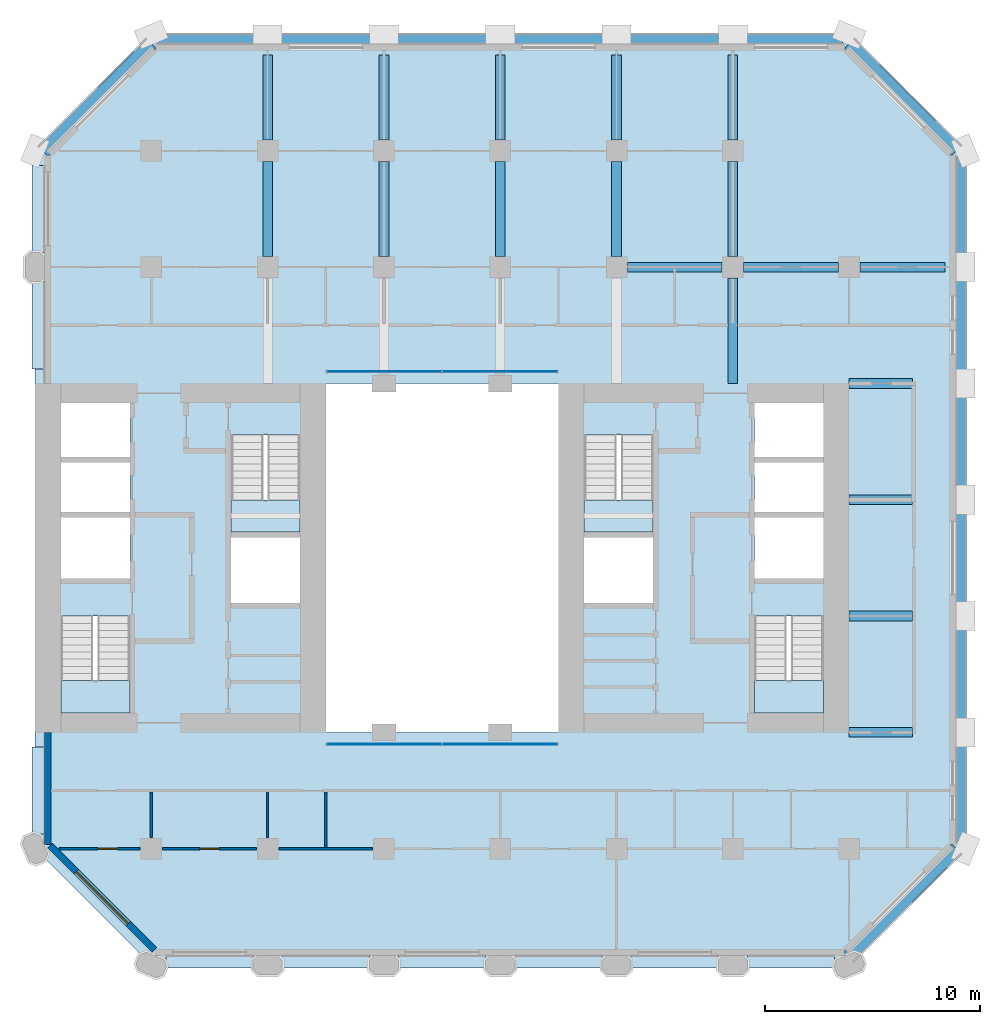
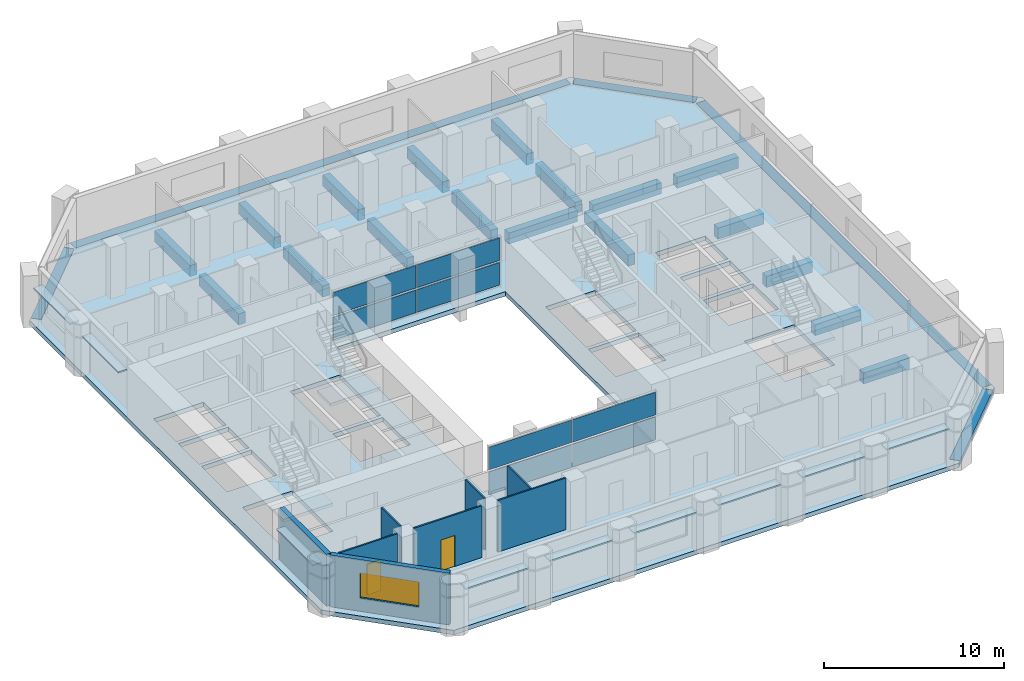
# One storey, part 3 of 11: 23 beams, 17 plates, 8 walls, 5 slabs, 2 doors, 1 window, 3 openings, 6 elements without a shape of their own.
"""IFC4 building model written with IfcOpenShell, lengths in metres."""

from ifc_helpers import new_model, si_unit, direction, frame, frame_2d, origin, origin_2d, place, context, subcontext, project, spatial, polyline, rectangle, outline, extrude, material, layer, layer_set, material_profile, profile_set, type_object, element, fill, aggregate, save


model = new_model("IFC4")

# Units and contexts
model_context = context("Model", 3, precision=1e-05, world=origin(), true_north=direction((0.0, 1.0)))
body_context = subcontext(model_context, "Body", "Model", "MODEL_VIEW")
ifc_project = project(units=[si_unit("LENGTHUNIT", "METRE"), si_unit("AREAUNIT", "SQUARE_METRE"), si_unit("VOLUMEUNIT", "CUBIC_METRE"), si_unit("PLANEANGLEUNIT", "RADIAN"), si_unit("MASSUNIT", "GRAM", prefix="KILO")], contexts=[model_context])

# Site, building, storey
site_placement = place(None, origin())
site = spatial("IfcSite", under=ifc_project, at=site_placement, CompositionType="ELEMENT")
building_placement = place(site_placement, origin())
building = spatial("IfcBuilding", under=site, at=building_placement, Name="Tabaq Tower and Sports Hall", CompositionType="ELEMENT")
storey_placement = place(building_placement, frame((0.0, 0.0, 80.199951171875)))
storey = spatial("IfcBuildingStorey", under=building, at=storey_placement, Name="L18", CompositionType="ELEMENT", Elevation=80.199951171875)

# Beams
ifc_material_1 = material(Name="Concrete C40/50", Category="concrete")
ifc_material_profile_1 = material_profile(ifc_material_1, rectangle(XDim=0.449951171875, YDim=0.75, at=origin_2d()), Name="CB 450x750")
ifc_profile_set_1 = profile_set([ifc_material_profile_1], Name="Concrete C40/50")
beam_type_1 = type_object("IfcBeamType", Name="PT CANTILEVER BEAM CB 450x750 C40/50", PredefinedType="BEAM", material=ifc_profile_set_1)
for number, where, z_axis, x_axis, name in (
    (1, (46.14990234375, 16.199951171875, -0.675048828125), (-1.0, 0.0, 0.0), (0.0, -1.0, 0.0), "Cantilever Beam L18 E3 span 1"),
    (2, (46.14990234375, 21.60009765625, -0.675048828125), (-1.0, 0.0, 0.0), (0.0, -1.0, 0.0), "Cantilever Beam L18 E4 span 1"),
    (3, (46.14990234375, 27.0, -0.675048828125), (-1.0, 0.0, 0.0), (0.0, -1.0, 0.0), "Cantilever Beam L18 E5 span 1"),
    (4, (46.14990234375, 32.39990234375, -0.675048828125), (-1.0, 0.0, 0.0), (0.0, -1.0, 0.0), "Cantilever Beam L18 E6 span 1"),
):
    element("IfcBeam", number, at=place(storey_placement, frame(where, z_axis=z_axis, x_axis=x_axis)), inside=storey, type_object=beam_type_1, Name=name, PredefinedType="BEAM", context=body_context, shape_type="SweptSolid", body=[
        extrude(rectangle(XDim=0.449951171875, YDim=0.75, at=origin_2d()), origin(), (0.0, 0.0, 1.0), 2.949951171875),
    ])
beam_1_placement = place(storey_placement, frame((47.64990234375, 37.800048828125, -0.675048828125), z_axis=(-1.0, 0.0, 0.0), x_axis=(0.0, -1.0, 0.0)))
element("IfcBeam", 5, at=beam_1_placement, inside=storey, type_object=beam_type_1, Name="Cantilever Beam L18 E7 span 1", PredefinedType="BEAM", context=body_context, shape_type="SweptSolid", body=[
    extrude(rectangle(XDim=0.449951171875, YDim=0.75, at=origin_2d()), origin(), (0.0, 0.0, 1.0), 3.949951171875),
])
beam_2_placement = place(storey_placement, frame((42.699951171875, 37.800048828125, -0.675048828125), z_axis=(-1.0, 0.0, 0.0), x_axis=(0.0, -1.0, 0.0)))
element("IfcBeam", 6, at=beam_2_placement, inside=storey, type_object=beam_type_1, Name="Cantilever Beam L18 E7 span 2", PredefinedType="BEAM", context=body_context, shape_type="SweptSolid", body=[
    extrude(rectangle(XDim=0.449951171875, YDim=0.75, at=origin_2d()), origin(), (0.0, 0.0, 1.0), 4.39990234375),
])
beam_3_placement = place(storey_placement, frame((37.300048828125, 37.800048828125, -0.675048828125), z_axis=(-1.0, 0.0, 0.0), x_axis=(0.0, -1.0, 0.0)))
element("IfcBeam", 7, at=beam_3_placement, inside=storey, type_object=beam_type_1, Name="Cantilever Beam L18 E7 span 3", PredefinedType="BEAM", context=body_context, shape_type="SweptSolid", body=[
    extrude(rectangle(XDim=0.449951171875, YDim=0.75, at=origin_2d()), origin(), (0.0, 0.0, 1.0), 4.400146484375),
])
beam_4_placement = place(storey_placement, frame((16.199951171875, 47.64990234375, -0.675048828125), z_axis=(0.0, -1.0, 0.0), x_axis=(1.0, 0.0, 0.0)))
element("IfcBeam", 8, at=beam_4_placement, inside=storey, type_object=beam_type_1, Name="Cantilever Beam L18 N3 span 1", PredefinedType="BEAM", context=body_context, shape_type="SweptSolid", body=[
    extrude(rectangle(XDim=0.449951171875, YDim=0.75, at=origin_2d()), origin(), (0.0, 0.0, 1.0), 3.949951171875),
])
beam_5_placement = place(storey_placement, frame((16.199951171875, 42.699951171875, -0.675048828125), z_axis=(0.0, -1.0, 0.0), x_axis=(1.0, 0.0, 0.0)))
element("IfcBeam", 9, at=beam_5_placement, inside=storey, type_object=beam_type_1, Name="Cantilever Beam L18 N3 span 2", PredefinedType="BEAM", context=body_context, shape_type="SweptSolid", body=[
    extrude(rectangle(XDim=0.449951171875, YDim=0.75, at=origin_2d()), origin(), (0.0, 0.0, 1.0), 4.39990234375),
])
beam_6_placement = place(storey_placement, frame((21.60009765625, 47.64990234375, -0.675048828125), z_axis=(0.0, -1.0, 0.0), x_axis=(1.0, 0.0, 0.0)))
element("IfcBeam", 10, at=beam_6_placement, inside=storey, type_object=beam_type_1, Name="Cantilever Beam L18 N4 span 1", PredefinedType="BEAM", context=body_context, shape_type="SweptSolid", body=[
    extrude(rectangle(XDim=0.449951171875, YDim=0.75, at=origin_2d()), origin(), (0.0, 0.0, 1.0), 3.949951171875),
])
beam_7_placement = place(storey_placement, frame((21.60009765625, 42.699951171875, -0.675048828125), z_axis=(0.0, -1.0, 0.0), x_axis=(1.0, 0.0, 0.0)))
element("IfcBeam", 11, at=beam_7_placement, inside=storey, type_object=beam_type_1, Name="Cantilever Beam L18 N4 span 2", PredefinedType="BEAM", context=body_context, shape_type="SweptSolid", body=[
    extrude(rectangle(XDim=0.449951171875, YDim=0.75, at=origin_2d()), origin(), (0.0, 0.0, 1.0), 4.39990234375),
])
beam_8_placement = place(storey_placement, frame((27.0, 47.64990234375, -0.675048828125), z_axis=(0.0, -1.0, 0.0), x_axis=(1.0, 0.0, 0.0)))
element("IfcBeam", 12, at=beam_8_placement, inside=storey, type_object=beam_type_1, Name="Cantilever Beam L18 N5 span 1", PredefinedType="BEAM", context=body_context, shape_type="SweptSolid", body=[
    extrude(rectangle(XDim=0.449951171875, YDim=0.75, at=origin_2d()), origin(), (0.0, 0.0, 1.0), 3.949951171875),
])
beam_9_placement = place(storey_placement, frame((27.0, 42.699951171875, -0.675048828125), z_axis=(0.0, -1.0, 0.0), x_axis=(1.0, 0.0, 0.0)))
element("IfcBeam", 13, at=beam_9_placement, inside=storey, type_object=beam_type_1, Name="Cantilever Beam L18 N5 span 2", PredefinedType="BEAM", context=body_context, shape_type="SweptSolid", body=[
    extrude(rectangle(XDim=0.449951171875, YDim=0.75, at=origin_2d()), origin(), (0.0, 0.0, 1.0), 4.39990234375),
])
beam_10_placement = place(storey_placement, frame((32.39990234375, 47.64990234375, -0.675048828125), z_axis=(0.0, -1.0, 0.0), x_axis=(1.0, 0.0, 0.0)))
element("IfcBeam", 14, at=beam_10_placement, inside=storey, type_object=beam_type_1, Name="Cantilever Beam L18 N6 span 1", PredefinedType="BEAM", context=body_context, shape_type="SweptSolid", body=[
    extrude(rectangle(XDim=0.449951171875, YDim=0.75, at=origin_2d()), origin(), (0.0, 0.0, 1.0), 3.949951171875),
])
beam_11_placement = place(storey_placement, frame((32.39990234375, 42.699951171875, -0.675048828125), z_axis=(0.0, -1.0, 0.0), x_axis=(1.0, 0.0, 0.0)))
element("IfcBeam", 15, at=beam_11_placement, inside=storey, type_object=beam_type_1, Name="Cantilever Beam L18 N6 span 2", PredefinedType="BEAM", context=body_context, shape_type="SweptSolid", body=[
    extrude(rectangle(XDim=0.449951171875, YDim=0.75, at=origin_2d()), origin(), (0.0, 0.0, 1.0), 4.39990234375),
])
beam_12_placement = place(storey_placement, frame((37.800048828125, 47.64990234375, -0.675048828125), z_axis=(0.0, -1.0, 0.0), x_axis=(1.0, 0.0, 0.0)))
element("IfcBeam", 16, at=beam_12_placement, inside=storey, type_object=beam_type_1, Name="Cantilever Beam L18 N7 span 1", PredefinedType="BEAM", context=body_context, shape_type="SweptSolid", body=[
    extrude(rectangle(XDim=0.449951171875, YDim=0.75, at=origin_2d()), origin(), (0.0, 0.0, 1.0), 3.949951171875),
])
beam_13_placement = place(storey_placement, frame((37.800048828125, 42.699951171875, -0.675048828125), z_axis=(0.0, -1.0, 0.0), x_axis=(1.0, 0.0, 0.0)))
element("IfcBeam", 17, at=beam_13_placement, inside=storey, type_object=beam_type_1, Name="Cantilever Beam L18 N7 span 2", PredefinedType="BEAM", context=body_context, shape_type="SweptSolid", body=[
    extrude(rectangle(XDim=0.449951171875, YDim=0.75, at=origin_2d()), origin(), (0.0, 0.0, 1.0), 4.39990234375),
])
beam_14_placement = place(storey_placement, frame((37.800048828125, 37.300048828125, -0.675048828125), z_axis=(0.0, -1.0, 0.0), x_axis=(1.0, 0.0, 0.0)))
element("IfcBeam", 18, at=beam_14_placement, inside=storey, type_object=beam_type_1, Name="Cantilever Beam L18 N7 span 3", PredefinedType="BEAM", context=body_context, shape_type="SweptSolid", body=[
    extrude(rectangle(XDim=0.449951171875, YDim=0.75, at=origin_2d()), origin(), (0.0, 0.0, 1.0), 4.900146484375),
])
ifc_material_2 = material(Name="Concrete C40/50", Category="concrete")
ifc_material_profile_2 = material_profile(ifc_material_2, rectangle(XDim=0.60009765625, YDim=0.300048828125, at=origin_2d()), Name="EB 600x300")
ifc_profile_set_2 = profile_set([ifc_material_profile_2], Name="Concrete C40/50")
beam_type_2 = type_object("IfcBeamType", Name="PT EDGE BEAM EB 600x300 C40/50", PredefinedType="SPANDREL", material=ifc_profile_set_2)
beam_15_placement = place(storey_placement, frame((43.16455078125, 5.788818359375, -0.14990234375), z_axis=(0.707106781187, 0.707106781187, 0.0), x_axis=(-0.707106781187, 0.707106781187, 0.0)))
element("IfcBeam", 19, at=beam_15_placement, inside=storey, type_object=beam_type_2, Name="Edge Beam L18 1", PredefinedType="SPANDREL", context=body_context, shape_type="SweptSolid", body=[
    extrude(rectangle(XDim=0.60009765625, YDim=0.300048828125, at=origin_2d()), origin(), (0.0, 0.0, 1.0), 7.08837890625),
])
beam_16_placement = place(storey_placement, frame((48.300048828125, 11.0986328125, -0.14990234375), z_axis=(0.0, 1.0, 0.0), x_axis=(-1.0, 0.0, 0.0)))
element("IfcBeam", 20, at=beam_16_placement, inside=storey, type_object=beam_type_2, Name="Edge Beam L18 2", PredefinedType="SPANDREL", context=body_context, shape_type="SweptSolid", body=[
    extrude(rectangle(XDim=0.60009765625, YDim=0.300048828125, at=origin_2d()), origin(), (0.0, 0.0, 1.0), 31.802734375),
])
beam_17_placement = place(storey_placement, frame((48.1767578125, 43.198974609375, -0.14990234375), z_axis=(-0.707106781187, 0.707106781187, 0.0), x_axis=(-0.707106781187, -0.707106781187, 0.0)))
element("IfcBeam", 21, at=beam_17_placement, inside=storey, type_object=beam_type_2, Name="Edge Beam L18 3", PredefinedType="SPANDREL", context=body_context, shape_type="SweptSolid", body=[
    extrude(rectangle(XDim=0.60009765625, YDim=0.300048828125, at=origin_2d()), origin(), (0.0, 0.0, 1.0), 7.03955078125),
])
beam_18_placement = place(storey_placement, frame((42.9013671875, 48.300048828125, -0.14990234375), z_axis=(-1.0, 0.0, 0.0), x_axis=(0.0, -1.0, 0.0)))
element("IfcBeam", 22, at=beam_18_placement, inside=storey, type_object=beam_type_2, Name="Edge Beam L18 4", PredefinedType="SPANDREL", context=body_context, shape_type="SweptSolid", body=[
    extrude(rectangle(XDim=0.60009765625, YDim=0.300048828125, at=origin_2d()), origin(), (0.0, 0.0, 1.0), 31.802734375),
])
beam_19_placement = place(storey_placement, frame((10.801025390625, 48.1767578125, -0.14990234375), z_axis=(-0.707106781187, -0.707106781187, 0.0), x_axis=(0.707106781187, -0.707106781187, 0.0)))
element("IfcBeam", 23, at=beam_19_placement, inside=storey, type_object=beam_type_2, Name="Edge Beam L18 5", PredefinedType="SPANDREL", context=body_context, shape_type="SweptSolid", body=[
    extrude(rectangle(XDim=0.60009765625, YDim=0.300048828125, at=origin_2d()), origin(), (0.0, 0.0, 1.0), 7.08837890625),
])

# Curtain wall, plates
ifc_material_3 = material(Name="Aluminium alloy 6063-T6 framed glazing", Category="aluminium")
curtain_wall_type = type_object("IfcCurtainWallType", Name="CW1 curtain wall", PredefinedType="USERDEFINED", material=ifc_material_3)
curtain_wall_1_placement = place(storey_placement, origin())
curtain_wall_1 = element("IfcCurtainWall", 24, at=curtain_wall_1_placement, inside=storey, type_object=curtain_wall_type, Name="Atrium glazing L18 S", ObjectType="ATRIUM ENCLOSURE", PredefinedType="USERDEFINED")
ifc_material_4 = material(Name="Clear low-emissivity glass 28 mm", Category="glass")
ifc_layer_1 = layer(ifc_material_4, 0.028076171875)
ifc_layer_set_1 = layer_set([ifc_layer_1], Name="CW1 glass panel 28")
plate_type_1 = type_object("IfcPlateType", Name="CW1 glass panel 28", PredefinedType="CURTAIN_PANEL", material=ifc_layer_set_1)
plate_1_placement = place(storey_placement, frame((21.614990234375, 15.64990234375, 0.14013671875), z_axis=(0.0, 0.0, 1.0), x_axis=(1.0, 0.0, 0.0)))
plate_1 = element("IfcPlate", 25, at=plate_1_placement, type_object=plate_type_1, Name="CW1 panel 1.1", PredefinedType="CURTAIN_PANEL", context=body_context, shape_type="SweptSolid", body=[
    extrude(rectangle(XDim=5.31005859375, YDim=0.028076171875, at=origin_2d()), origin(), (0.0, 0.0, 1.0), 1.5400390625),
])
plate_2_placement = place(storey_placement, frame((21.614990234375, 15.64990234375, 1.820068359375), z_axis=(0.0, 0.0, 1.0), x_axis=(1.0, 0.0, 0.0)))
plate_2 = element("IfcPlate", 26, at=plate_2_placement, type_object=plate_type_1, Name="CW1 panel 1.2", PredefinedType="CURTAIN_PANEL", context=body_context, shape_type="SweptSolid", body=[
    extrude(rectangle(XDim=5.31005859375, YDim=0.028076171875, at=origin_2d()), origin(), (0.0, 0.0, 1.0), 1.5400390625),
])
plate_3_placement = place(storey_placement, frame((26.985107421875, 15.64990234375, 0.14013671875), z_axis=(0.0, 0.0, 1.0), x_axis=(1.0, 0.0, 0.0)))
plate_3 = element("IfcPlate", 27, at=plate_3_placement, type_object=plate_type_1, Name="CW1 panel 2.1", PredefinedType="CURTAIN_PANEL", context=body_context, shape_type="SweptSolid", body=[
    extrude(rectangle(XDim=5.31005859375, YDim=0.028076171875, at=origin_2d()), origin(), (0.0, 0.0, 1.0), 1.5400390625),
])
plate_4_placement = place(storey_placement, frame((26.985107421875, 15.64990234375, 1.820068359375), z_axis=(0.0, 0.0, 1.0), x_axis=(1.0, 0.0, 0.0)))
plate_4 = element("IfcPlate", 28, at=plate_4_placement, type_object=plate_type_1, Name="CW1 panel 2.2", PredefinedType="CURTAIN_PANEL", context=body_context, shape_type="SweptSolid", body=[
    extrude(rectangle(XDim=5.31005859375, YDim=0.028076171875, at=origin_2d()), origin(), (0.0, 0.0, 1.0), 1.5400390625),
])
aggregate(curtain_wall_1, [plate_1, plate_2, plate_3, plate_4])

curtain_wall_2_placement = place(storey_placement, origin())
curtain_wall_2 = element("IfcCurtainWall", 29, at=curtain_wall_2_placement, inside=storey, type_object=curtain_wall_type, Name="Atrium glazing L18 N", ObjectType="ATRIUM ENCLOSURE", PredefinedType="USERDEFINED")
plate_5_placement = place(storey_placement, frame((21.614990234375, 32.949951171875, 0.14013671875), z_axis=(0.0, 0.0, 1.0), x_axis=(1.0, 0.0, 0.0)))
plate_5 = element("IfcPlate", 30, at=plate_5_placement, type_object=plate_type_1, Name="CW1 panel 1.1", PredefinedType="CURTAIN_PANEL", context=body_context, shape_type="SweptSolid", body=[
    extrude(rectangle(XDim=5.31005859375, YDim=0.028076171875, at=origin_2d()), origin(), (0.0, 0.0, 1.0), 1.5400390625),
])
plate_6_placement = place(storey_placement, frame((21.614990234375, 32.949951171875, 1.820068359375), z_axis=(0.0, 0.0, 1.0), x_axis=(1.0, 0.0, 0.0)))
plate_6 = element("IfcPlate", 31, at=plate_6_placement, type_object=plate_type_1, Name="CW1 panel 1.2", PredefinedType="CURTAIN_PANEL", context=body_context, shape_type="SweptSolid", body=[
    extrude(rectangle(XDim=5.31005859375, YDim=0.028076171875, at=origin_2d()), origin(), (0.0, 0.0, 1.0), 1.5400390625),
])
plate_7_placement = place(storey_placement, frame((26.985107421875, 32.949951171875, 0.14013671875), z_axis=(0.0, 0.0, 1.0), x_axis=(1.0, 0.0, 0.0)))
plate_7 = element("IfcPlate", 32, at=plate_7_placement, type_object=plate_type_1, Name="CW1 panel 2.1", PredefinedType="CURTAIN_PANEL", context=body_context, shape_type="SweptSolid", body=[
    extrude(rectangle(XDim=5.31005859375, YDim=0.028076171875, at=origin_2d()), origin(), (0.0, 0.0, 1.0), 1.5400390625),
])
plate_8_placement = place(storey_placement, frame((26.985107421875, 32.949951171875, 1.820068359375), z_axis=(0.0, 0.0, 1.0), x_axis=(1.0, 0.0, 0.0)))
plate_8 = element("IfcPlate", 33, at=plate_8_placement, type_object=plate_type_1, Name="CW1 panel 2.2", PredefinedType="CURTAIN_PANEL", context=body_context, shape_type="SweptSolid", body=[
    extrude(rectangle(XDim=5.31005859375, YDim=0.028076171875, at=origin_2d()), origin(), (0.0, 0.0, 1.0), 1.5400390625),
])
aggregate(curtain_wall_2, [plate_5, plate_6, plate_7, plate_8])

# Stair, slab
ifc_material_5 = material(Name="Concrete C40/50", Category="concrete")
stair_type = type_object("IfcStairType", Name="Exit stair", PredefinedType="HALF_TURN_STAIR", material=ifc_material_5)
stair_1_placement = place(storey_placement, origin())
stair_1 = element("IfcStair", 34, at=stair_1_placement, inside=storey, type_object=stair_type, Name="L18 Exit stair ST1", PredefinedType="HALF_TURN_STAIR")
ifc_material_6 = material(Name="Concrete C40/50", Category="concrete")
ifc_layer_2 = layer(ifc_material_6, 0.199951171875)
ifc_layer_set_2 = layer_set([ifc_layer_2], Name="Exit stair landing")
slab_type_1 = type_object("IfcSlabType", Name="Exit stair landing", PredefinedType="LANDING", material=ifc_layer_set_2)
slab_1_placement = place(storey_placement, frame((0.0, 0.0, 1.699951171875)))
slab_1 = element("IfcSlab", 35, at=slab_1_placement, type_object=slab_type_1, Name="ST1 landing 1", PredefinedType="LANDING", context=body_context, shape_type="SweptSolid", body=[
    extrude(outline(polyline([(6.60009765625, 18.60009765625), (6.60009765625, 17.10009765625), (9.800048828125, 17.10009765625), (9.800048828125, 18.60009765625), (6.60009765625, 18.60009765625)])), origin(), (0.0, 0.0, 1.0), 0.2001953125),
])
aggregate(stair_1, [slab_1])

stair_2_placement = place(storey_placement, origin())
stair_2 = element("IfcStair", 36, at=stair_2_placement, inside=storey, type_object=stair_type, Name="L18 Exit stair ST2", PredefinedType="HALF_TURN_STAIR")
slab_2_placement = place(storey_placement, frame((0.0, 0.0, 1.699951171875)))
slab_2 = element("IfcSlab", 37, at=slab_2_placement, type_object=slab_type_1, Name="ST2 landing 1", PredefinedType="LANDING", context=body_context, shape_type="SweptSolid", body=[
    extrude(outline(polyline([(14.5, 27.0), (14.5, 25.5), (17.699951171875, 25.5), (17.699951171875, 27.0), (14.5, 27.0)])), origin(), (0.0, 0.0, 1.0), 0.2001953125),
])
aggregate(stair_2, [slab_2])

stair_3_placement = place(storey_placement, origin())
stair_3 = element("IfcStair", 38, at=stair_3_placement, inside=storey, type_object=stair_type, Name="L18 Exit stair ST3", PredefinedType="HALF_TURN_STAIR")
slab_3_placement = place(storey_placement, frame((0.0, 0.0, 1.699951171875)))
slab_3 = element("IfcSlab", 39, at=slab_3_placement, type_object=slab_type_1, Name="ST3 landing 1", PredefinedType="LANDING", context=body_context, shape_type="SweptSolid", body=[
    extrude(outline(polyline([(38.800048828125, 18.60009765625), (38.800048828125, 17.10009765625), (42.0, 17.10009765625), (42.0, 18.60009765625), (38.800048828125, 18.60009765625)])), origin(), (0.0, 0.0, 1.0), 0.2001953125),
])
aggregate(stair_3, [slab_3])

stair_4_placement = place(storey_placement, origin())
stair_4 = element("IfcStair", 40, at=stair_4_placement, inside=storey, type_object=stair_type, Name="L18 Exit stair ST4", PredefinedType="HALF_TURN_STAIR")
slab_4_placement = place(storey_placement, frame((0.0, 0.0, 1.699951171875)))
slab_4 = element("IfcSlab", 41, at=slab_4_placement, type_object=slab_type_1, Name="ST4 landing 1", PredefinedType="LANDING", context=body_context, shape_type="SweptSolid", body=[
    extrude(outline(polyline([(30.89990234375, 27.0), (30.89990234375, 25.5), (34.10009765625, 25.5), (34.10009765625, 27.0), (30.89990234375, 27.0)])), origin(), (0.0, 0.0, 1.0), 0.2001953125),
])
aggregate(stair_4, [slab_4])

# Slab
ifc_material_7 = material(Name="Concrete C40/50", Category="concrete")
ifc_layer_3 = layer(ifc_material_7, 0.300048828125)
ifc_layer_set_3 = layer_set([ifc_layer_3], Name="PT FLOOR SLAB 300 C40/50")
slab_type_2 = type_object("IfcSlabType", Name="PT FLOOR SLAB 300 C40/50", PredefinedType="FLOOR", material=ifc_layer_set_3)
slab_5_placement = place(storey_placement, frame((0.0, 0.0, -0.300048828125)))
element("IfcSlab", 42, at=slab_5_placement, inside=storey, type_object=slab_type_2, Name="Floor Slab L18", PredefinedType="FLOOR", context=body_context, shape_type="SweptSolid", body=[
    extrude(outline(polyline([(5.39990234375, 43.199951171875), (5.39990234375, 10.800048828125), (10.800048828125, 5.39990234375), (43.199951171875, 5.39990234375), (43.376708984375, 5.57666015625), (42.952392578125, 6.0009765625), (47.964599609375, 11.01318359375), (48.035400390625, 10.9423828125), (48.388916015625, 10.5888671875), (48.60009765625, 10.800048828125), (48.60009765625, 11.0986328125), (48.10009765625, 11.0986328125), (48.0, 11.0986328125), (48.0, 42.9013671875), (48.10009765625, 42.9013671875), (48.60009765625, 42.9013671875), (48.60009765625, 43.199951171875), (48.388916015625, 43.4111328125), (48.035400390625, 43.0576171875), (47.964599609375, 42.98681640625), (42.98681640625, 47.964599609375), (43.0576171875, 48.035400390625), (43.4111328125, 48.388916015625), (43.199951171875, 48.60009765625), (42.9013671875, 48.60009765625), (42.9013671875, 48.10009765625), (42.9013671875, 48.0), (11.0986328125, 48.0), (11.0986328125, 48.10009765625), (11.0986328125, 48.60009765625), (10.800048828125, 48.60009765625), (10.5888671875, 48.388916015625), (10.9423828125, 48.035400390625), (11.01318359375, 47.964599609375), (6.0009765625, 42.952392578125), (5.57666015625, 43.376708984375), (5.39990234375, 43.199951171875)]), holes=[polyline([(6.60009765625, 21.599365234375), (9.800048828125, 21.599365234375), (9.800048828125, 17.10009765625), (6.60009765625, 17.10009765625), (6.60009765625, 21.599365234375)]), polyline([(17.699951171875, 25.25), (17.699951171875, 22.199951171875), (14.5, 22.199951171875), (14.5, 25.25), (17.699951171875, 25.25)]), polyline([(18.89990234375, 32.39990234375), (29.699951171875, 32.39990234375), (29.699951171875, 16.199951171875), (18.89990234375, 16.199951171875), (18.89990234375, 32.39990234375)]), polyline([(6.60009765625, 26.175048828125), (9.800048828125, 26.175048828125), (9.800048828125, 23.35009765625), (6.60009765625, 23.35009765625), (6.60009765625, 26.175048828125)]), polyline([(9.800048828125, 28.72509765625), (9.800048828125, 26.425048828125), (6.60009765625, 26.425048828125), (6.60009765625, 28.72509765625), (9.800048828125, 28.72509765625)]), polyline([(17.699951171875, 29.99951171875), (17.699951171875, 25.5), (14.5, 25.5), (14.5, 29.99951171875), (17.699951171875, 29.99951171875)]), polyline([(6.60009765625, 31.5), (9.800048828125, 31.5), (9.800048828125, 28.97509765625), (6.60009765625, 28.97509765625), (6.60009765625, 31.5)]), polyline([(42.0, 21.599365234375), (42.0, 17.10009765625), (38.800048828125, 17.10009765625), (38.800048828125, 21.599365234375), (42.0, 21.599365234375)]), polyline([(34.10009765625, 25.25), (34.10009765625, 22.199951171875), (30.89990234375, 22.199951171875), (30.89990234375, 25.25), (34.10009765625, 25.25)]), polyline([(42.0, 26.175048828125), (42.0, 23.35009765625), (38.800048828125, 23.35009765625), (38.800048828125, 26.175048828125), (42.0, 26.175048828125)]), polyline([(42.0, 28.72509765625), (42.0, 26.425048828125), (38.800048828125, 26.425048828125), (38.800048828125, 28.72509765625), (42.0, 28.72509765625)]), polyline([(34.10009765625, 29.99951171875), (34.10009765625, 25.5), (30.89990234375, 25.5), (30.89990234375, 29.99951171875), (34.10009765625, 29.99951171875)]), polyline([(42.0, 31.5), (42.0, 28.97509765625), (38.800048828125, 28.97509765625), (38.800048828125, 31.5), (42.0, 31.5)])]), origin(), (0.0, 0.0, 1.0), 0.300048828125),
])

# Plates
ifc_material_8 = material(Name="White precast concrete C60/75 blade", Category="concrete")
ifc_layer_4 = layer(ifc_material_8, 0.10009765625)
ifc_layer_set_4 = layer_set([ifc_layer_4], Name="White precast concrete C60/75 sunshade 100")
plate_type_2 = type_object("IfcPlateType", Name="White precast concrete C60/75 sunshade 100", PredefinedType="USERDEFINED", material=ifc_layer_set_4)
for number, where, z_axis, x_axis, name in (
    (43, (13.5, 5.550048828125, 2.60009765625), (0.0, 0.0, 1.0), (1.0, 0.0, 0.0), "Sunshade L18 S"),
    (44, (18.89990234375, 5.550048828125, 2.60009765625), (0.0, 0.0, 1.0), (1.0, 0.0, 0.0), "Sunshade L18 S"),
    (45, (24.300048828125, 5.550048828125, 2.60009765625), (0.0, 0.0, 1.0), (1.0, 0.0, 0.0), "Sunshade L18 S"),
    (46, (29.699951171875, 5.550048828125, 2.60009765625), (0.0, 0.0, 1.0), (1.0, 0.0, 0.0), "Sunshade L18 S"),
    (47, (35.10009765625, 5.550048828125, 2.60009765625), (0.0, 0.0, 1.0), (1.0, 0.0, 0.0), "Sunshade L18 S"),
    (48, (40.5, 5.550048828125, 2.60009765625), (0.0, 0.0, 1.0), (1.0, 0.0, 0.0), "Sunshade L18 S"),
    (49, (5.550048828125, 40.5, 2.60009765625), (0.0, 0.0, 1.0), (0.0, -1.0, 0.0), "Sunshade L18 W"),
    (50, (5.550048828125, 35.10009765625, 2.60009765625), (0.0, 0.0, 1.0), (0.0, -1.0, 0.0), "Sunshade L18 W"),
    (51, (5.550048828125, 13.5, 2.60009765625), (0.0, 0.0, 1.0), (0.0, -1.0, 0.0), "Sunshade L18 W"),
):
    element("IfcPlate", number, at=place(storey_placement, frame(where, z_axis=z_axis, x_axis=x_axis)), inside=storey, type_object=plate_type_2, Name=name, ObjectType="SUNSHADE", PredefinedType="USERDEFINED", context=body_context, shape_type="SweptSolid", body=[
        extrude(rectangle(XDim=4.050048828125, YDim=0.60009765625, at=origin_2d()), origin(), (0.0, 0.0, 1.0), 0.10009765625),
    ])

# Wall, opening, door
ifc_material_9 = material(Name="Gypsum board on steel studs", Category="steel")
ifc_layer_5 = layer(ifc_material_9, 0.10009765625)
ifc_layer_set_5 = layer_set([ifc_layer_5], Name="Partition 100 Gypsum board")
wall_type_1 = type_object("IfcWallType", Name="Partition 100 Gypsum board", PredefinedType="PARTITIONING", material=ifc_layer_set_5)
wall_1_placement = place(storey_placement, frame((6.51220703125, 10.800048828125, 0.0), z_axis=(0.0, 0.0, 1.0), x_axis=(1.0, 0.0, 0.0)))
wall_1 = element("IfcWall", 52, at=wall_1_placement, inside=storey, type_object=wall_type_1, Name="Partition wall L18", PredefinedType="PARTITIONING", context=body_context, shape_type="SweptSolid", body=[
    extrude(rectangle(XDim=3.767822265625, YDim=0.10009765625, at=frame_2d((1.8837890625, 0.0))), origin(), (0.0, 0.0, 1.0), 3.5),
])
opening_1_placement = place(wall_1_placement, frame((1.81298828125, 0.0, 0.0)))
opening_1 = element("IfcOpeningElement", 53, at=opening_1_placement, cuts=wall_1, Name="Opening L18-032", PredefinedType="OPENING", context=body_context, shape_type="SweptSolid", body=[
    extrude(rectangle(XDim=0.89990234375, YDim=2.10009765625, at=frame_2d((0.449951171875, 1.050048828125))), frame((0.0, 0.050048828125, 0.0), z_axis=(0.0, -1.0, 0.0), x_axis=(1.0, 0.0, 0.0)), (0.0, 0.0, 1.0), 0.10009765625),
])
ifc_material_10 = material(Name="Timber leaf in steel frame", Category="steel")
door_type_1 = type_object("IfcDoorType", Name="Internal door 900 left hand", OperationType="SINGLE_SWING_LEFT", PredefinedType="DOOR", material=ifc_material_10)
door_1_placement = place(opening_1_placement, origin())
door_1 = element("IfcDoor", 54, at=door_1_placement, inside=storey, type_object=door_type_1, Name="Internal door L18-032", OperationType="SINGLE_SWING_LEFT", OverallHeight=2.10009765625, OverallWidth=0.89990234375, PredefinedType="DOOR", context=body_context, shape_type="SweptSolid", body=[
    extrude(rectangle(XDim=0.89990234375, YDim=2.10009765625, at=frame_2d((0.449951171875, 1.050048828125))), frame((0.0, 0.02490234375, 0.0), z_axis=(0.0, -1.0, 0.0), x_axis=(1.0, 0.0, 0.0)), (0.0, 0.0, 1.0), 0.050048828125),
])
fill(opening_1, door_1)

# Wall
wall_2_placement = place(storey_placement, frame((10.800048828125, 11.320068359375, 0.0), z_axis=(0.0, 0.0, 1.0), x_axis=(0.0, 1.0, 0.0)))
element("IfcWall", 55, at=wall_2_placement, inside=storey, type_object=wall_type_1, Name="Partition wall L18", PredefinedType="PARTITIONING", context=body_context, shape_type="SweptSolid", body=[
    extrude(rectangle(XDim=2.10498046875, YDim=0.10009765625, at=frame_2d((1.052490234375, 0.0))), origin(), (0.0, 0.0, 1.0), 3.5),
])

# Wall, opening, door
wall_3_placement = place(storey_placement, frame((11.320068359375, 10.800048828125, 0.0), z_axis=(0.0, 0.0, 1.0), x_axis=(1.0, 0.0, 0.0)))
wall_3 = element("IfcWall", 56, at=wall_3_placement, inside=storey, type_object=wall_type_1, Name="Partition wall L18", PredefinedType="PARTITIONING", context=body_context, shape_type="SweptSolid", body=[
    extrude(rectangle(XDim=4.35986328125, YDim=0.10009765625, at=frame_2d((2.179931640625, 0.0))), origin(), (0.0, 0.0, 1.0), 3.5),
])
opening_2_placement = place(wall_3_placement, frame((1.72998046875, 0.0, 0.0)))
opening_2 = element("IfcOpeningElement", 57, at=opening_2_placement, cuts=wall_3, Name="Opening L18-020", PredefinedType="OPENING", context=body_context, shape_type="SweptSolid", body=[
    extrude(rectangle(XDim=0.89990234375, YDim=2.10009765625, at=frame_2d((0.449951171875, 1.050048828125))), frame((0.0, 0.050048828125, 0.0), z_axis=(0.0, -1.0, 0.0), x_axis=(1.0, 0.0, 0.0)), (0.0, 0.0, 1.0), 0.10009765625),
])
ifc_material_11 = material(Name="Timber leaf in steel frame", Category="steel")
door_type_2 = type_object("IfcDoorType", Name="Internal door 900 right hand", OperationType="SINGLE_SWING_RIGHT", PredefinedType="DOOR", material=ifc_material_11)
door_2_placement = place(opening_2_placement, origin())
door_2 = element("IfcDoor", 58, at=door_2_placement, inside=storey, type_object=door_type_2, Name="Internal door L18-020", OperationType="SINGLE_SWING_RIGHT", OverallHeight=2.10009765625, OverallWidth=0.89990234375, PredefinedType="DOOR", context=body_context, shape_type="SweptSolid", body=[
    extrude(rectangle(XDim=0.89990234375, YDim=2.10009765625, at=frame_2d((0.449951171875, 1.050048828125))), frame((0.0, 0.02490234375, 0.0), z_axis=(0.0, -1.0, 0.0), x_axis=(1.0, 0.0, 0.0)), (0.0, 0.0, 1.0), 0.050048828125),
])
fill(opening_2, door_2)

# Walls
wall_4_placement = place(storey_placement, frame((16.199951171875, 11.320068359375, 0.0), z_axis=(0.0, 0.0, 1.0), x_axis=(0.0, 1.0, 0.0)))
element("IfcWall", 59, at=wall_4_placement, inside=storey, type_object=wall_type_1, Name="Partition wall L18", PredefinedType="PARTITIONING", context=body_context, shape_type="SweptSolid", body=[
    extrude(rectangle(XDim=2.10498046875, YDim=0.10009765625, at=frame_2d((1.052490234375, 0.0))), origin(), (0.0, 0.0, 1.0), 3.5),
])
wall_5_placement = place(storey_placement, frame((18.89990234375, 10.85009765625, 0.0), z_axis=(0.0, 0.0, 1.0), x_axis=(0.0, 1.0, 0.0)))
element("IfcWall", 60, at=wall_5_placement, inside=storey, type_object=wall_type_1, Name="Partition wall L18", PredefinedType="PARTITIONING", context=body_context, shape_type="SweptSolid", body=[
    extrude(rectangle(XDim=2.574951171875, YDim=0.10009765625, at=frame_2d((1.28759765625, 0.0))), origin(), (0.0, 0.0, 1.0), 3.5),
])
wall_6_placement = place(storey_placement, frame((16.719970703125, 10.800048828125, 0.0), z_axis=(0.0, 0.0, 1.0), x_axis=(1.0, 0.0, 0.0)))
element("IfcWall", 61, at=wall_6_placement, inside=storey, type_object=wall_type_1, Name="Partition wall L18", PredefinedType="PARTITIONING", context=body_context, shape_type="SweptSolid", body=[
    extrude(rectangle(XDim=4.360107421875, YDim=0.10009765625, at=frame_2d((2.18017578125, 0.0))), origin(), (0.0, 0.0, 1.0), 3.5),
])
ifc_material_12 = material(Name="White precast concrete C60/75", Category="concrete")
ifc_layer_6 = layer(ifc_material_12, 0.300048828125)
ifc_layer_set_6 = layer_set([ifc_layer_6], Name="White precast concrete C60/75 external wall 300")
wall_type_2 = type_object("IfcWallType", Name="White precast concrete C60/75 external wall 300", PredefinedType="SOLIDWALL", material=ifc_layer_set_6)
wall_7_placement = place(storey_placement, frame((6.0, 16.199951171875, 0.0), z_axis=(0.0, 0.0, 1.0), x_axis=(0.0, -1.0, 0.0)))
element("IfcWall", 62, at=wall_7_placement, inside=storey, type_object=wall_type_2, Name="External Wall L18 W", PredefinedType="SOLIDWALL", context=body_context, shape_type="SweptSolid", body=[
    extrude(rectangle(XDim=5.213623046875, YDim=0.300048828125, at=frame_2d((2.60693359375, 0.0))), origin(), (0.0, 0.0, 1.0), 3.5),
])

# Wall, opening, window
wall_8_placement = place(storey_placement, frame((6.098876953125, 10.949462890625, 0.0), z_axis=(0.0, 0.0, 1.0), x_axis=(0.707106781187, -0.707106781187, 0.0)))
wall_8 = element("IfcWall", 63, at=wall_8_placement, inside=storey, type_object=wall_type_2, Name="External Wall L18 SW", PredefinedType="SOLIDWALL", context=body_context, shape_type="SweptSolid", body=[
    extrude(rectangle(XDim=6.85986328125, YDim=0.300048828125, at=frame_2d((3.429931640625, 0.0))), origin(), (0.0, 0.0, 1.0), 3.5),
])
opening_3_placement = place(wall_8_placement, frame((1.729736328125, 0.0, 0.89990234375)))
opening_3 = element("IfcOpeningElement", 64, at=opening_3_placement, cuts=wall_8, Name="Opening W1A", PredefinedType="OPENING", context=body_context, shape_type="SweptSolid", body=[
    extrude(rectangle(XDim=3.39990234375, YDim=1.699951171875, at=frame_2d((1.699951171875, 0.85009765625))), frame((0.0, 0.16015625, 0.0), z_axis=(0.0, -1.0, 0.0), x_axis=(1.0, 0.0, 0.0)), (0.0, 0.0, 1.0), 0.320068359375),
])
ifc_material_13 = material(Name="Aluminium framed clear glazing", Category="aluminium")
window_type = type_object("IfcWindowType", Name="Window W1A", PartitioningType="SINGLE_PANEL", PredefinedType="WINDOW", material=ifc_material_13)
window_placement = place(opening_3_placement, origin())
window = element("IfcWindow", 65, at=window_placement, inside=storey, type_object=window_type, Name="Window W1A L18", OverallHeight=1.699951171875, OverallWidth=3.39990234375, PartitioningType="SINGLE_PANEL", PredefinedType="WINDOW", context=body_context, shape_type="SweptSolid", body=[
    extrude(rectangle(XDim=3.39990234375, YDim=1.699951171875, at=frame_2d((1.699951171875, 0.85009765625))), frame((0.0, 0.030029296875, 0.0), z_axis=(0.0, -1.0, 0.0), x_axis=(1.0, 0.0, 0.0)), (0.0, 0.0, 1.0), 0.06005859375),
])
fill(opening_3, window)

save(model, "model.ifc")
